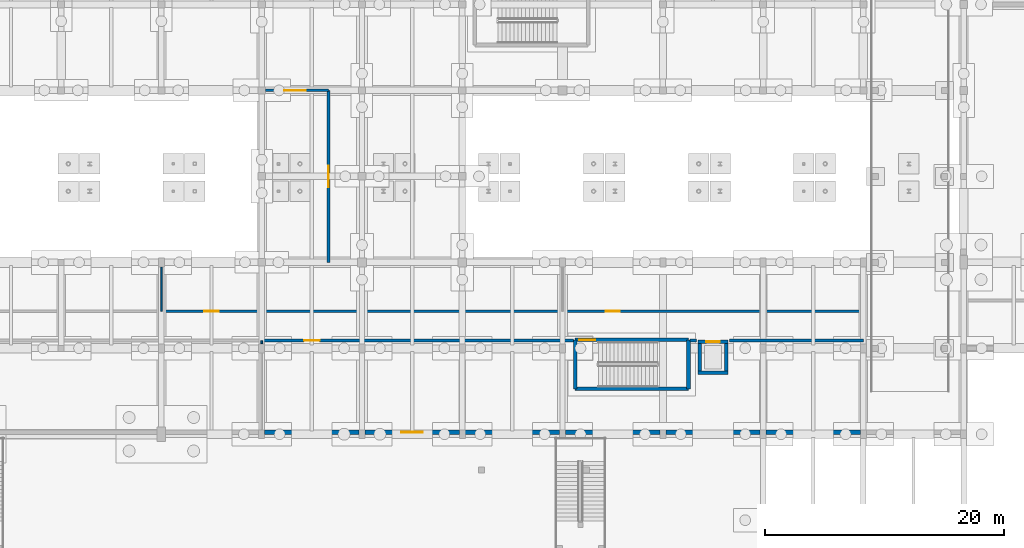
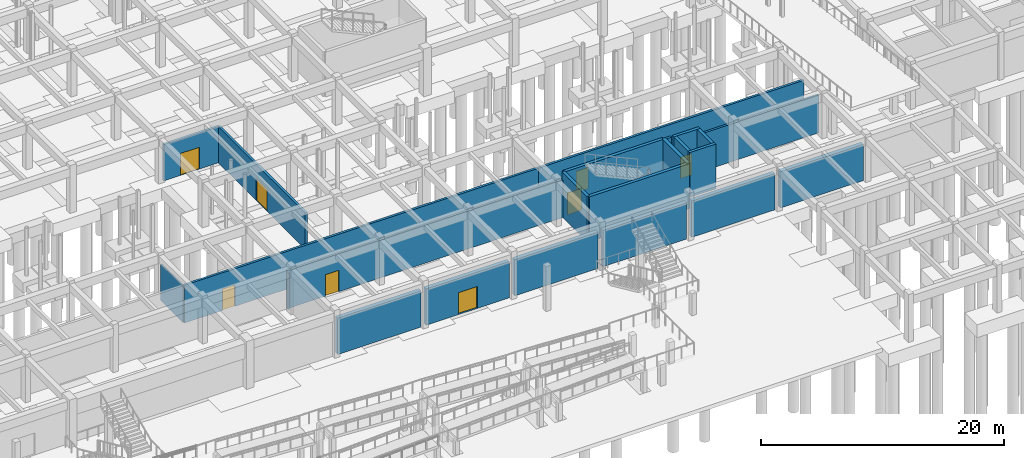
# One storey, part 59 of 80: 23 walls, 8 doors, 8 openings.
"""IFC4 building model written with IfcOpenShell, lengths in metres."""

import ifcopenshell
import ifcopenshell.guid

model = None  # the IFC model being written
_history = None  # IfcOwnerHistory: only IFC2X3 demands one
_inside = {}  # id of a spatial element -> (the spatial element, [elements in it])
_under = {}  # id of a project, library or spatial element -> (it, [spatial elements below it])
_declared = {}  # id of a project -> (the project, [libraries it declares])
_typed = {}  # id of a type object -> (the type object, [elements of that type])
_made_of = {}  # id of a material, layer set ... -> (it, [elements and type objects made of it])


def new_model(schema):
    """Start an empty IFC model of exactly this schema.

    Asked for "IFC4X3", IfcOpenShell would pick the latest addendum, in which some entities
    have other attributes; the version numbers below select the first issue.
    IFC2X3 requires an IfcOwnerHistory on every rooted entity: one is made here for all.
    """
    global model, _history
    if schema == "IFC4X3":
        model = ifcopenshell.file(schema_version=(4, 3, 0, 0))
    else:
        model = ifcopenshell.file(schema=schema)
    _inside.clear()
    _under.clear()
    _declared.clear()
    _typed.clear()
    _made_of.clear()
    _history = None
    if model.schema == "IFC2X3":
        org = make("IfcOrganization", Name="unknown")
        user = make(
            "IfcPersonAndOrganization",
            ThePerson=make("IfcPerson", FamilyName="unknown"),
            TheOrganization=org,
        )
        app = make(
            "IfcApplication",
            ApplicationDeveloper=org,
            Version="unknown",
            ApplicationFullName="unknown",
            ApplicationIdentifier="unknown",
        )
        _history = make(
            "IfcOwnerHistory",
            OwningUser=user,
            OwningApplication=app,
            ChangeAction="ADDED",
            CreationDate=0,
        )
    return model


def make(cls, **values):
    """One entity of the class cls with the attributes given. An attribute that is None is left unset."""
    return model.create_entity(
        cls, **{name: value for name, value in values.items() if value is not None}
    )


def rooted(cls, **values):
    """An entity with a GlobalId (a new one), such as an element, a storey or a relation."""
    return make(cls, GlobalId=ifcopenshell.guid.new(), OwnerHistory=_history, **values)


def si_unit(unit_type, name, prefix=None):
    """IfcSIUnit, for example si_unit("LENGTHUNIT", "METRE", prefix="MILLI")."""
    return make("IfcSIUnit", UnitType=unit_type, Prefix=prefix, Name=name)


def assignment(units):
    """IfcUnitAssignment: the units of a project."""
    return None if units is None else make("IfcUnitAssignment", Units=units)


def point(xyz):
    """IfcCartesianPoint."""
    return None if xyz is None else make("IfcCartesianPoint", Coordinates=xyz)


def direction(xyz):
    """IfcDirection."""
    return None if xyz is None else make("IfcDirection", DirectionRatios=xyz)


def frame(location, z_axis=None, x_axis=None):
    """IfcAxis2Placement3D, a coordinate frame: its origin and axes. An axis left out is left unset."""
    return make(
        "IfcAxis2Placement3D",
        Location=point(location),
        Axis=direction(z_axis),
        RefDirection=direction(x_axis),
    )


def frame_2d(location, x_axis=None):
    """IfcAxis2Placement2D, a coordinate frame in the plane: its origin and x axis."""
    return make(
        "IfcAxis2Placement2D", Location=point(location), RefDirection=direction(x_axis)
    )


def origin():
    """The frame at (0, 0, 0) with its axes left unset."""
    return frame((0.0, 0.0, 0.0))


def place(relative_to, where):
    """IfcLocalPlacement: puts the frame where relative to a parent placement (None: the world)."""
    return make(
        "IfcLocalPlacement", PlacementRelTo=relative_to, RelativePlacement=where
    )


def context(
    kind, dimensions, precision=None, world=None, true_north=None, identifier=None
):
    """IfcGeometricRepresentationContext, for example the 3D "Model" context."""
    return make(
        "IfcGeometricRepresentationContext",
        ContextIdentifier=identifier,
        ContextType=kind,
        CoordinateSpaceDimension=dimensions,
        Precision=precision,
        WorldCoordinateSystem=world,
        TrueNorth=true_north,
    )


def subcontext(parent, identifier, kind, view, scale=None):
    """IfcGeometricRepresentationSubContext, for example "Body" below "Model"."""
    return make(
        "IfcGeometricRepresentationSubContext",
        ContextIdentifier=identifier,
        ContextType=kind,
        ParentContext=parent,
        TargetScale=scale,
        TargetView=view,
    )


def project(units=None, contexts=None):
    """IfcProject with its units and contexts."""
    return rooted(
        "IfcProject",
        Name="project",
        RepresentationContexts=contexts,
        UnitsInContext=assignment(units),
    )


def spatial(cls, under=None, at=None, **own):
    """A site, building, storey or space (cls), placed at a placement, below another one or the project."""
    s = rooted(cls, ObjectPlacement=at, **own)
    if under is not None:
        _under.setdefault(under.id(), (under, []))[1].append(s)
    return s


def profile(cls, at=None, kind="AREA", **sizes):
    """A parametric profile (cls). Its sizes go by their IFC names, for example OverallWidth=200.0."""
    return make(cls, ProfileType=kind, Position=at, **sizes)


def rectangle(**sizes):
    """IfcRectangleProfileDef."""
    return profile("IfcRectangleProfileDef", **sizes)


def extrude(swept, where, along, depth):
    """IfcExtrudedAreaSolid: the profile swept, set in the frame where, extruded along a direction by depth."""
    return make(
        "IfcExtrudedAreaSolid",
        SweptArea=swept,
        Position=where,
        ExtrudedDirection=direction(along),
        Depth=depth,
    )


def shape(context_of_items, identifier, shape_type, items):
    """IfcShapeRepresentation: the items that make up one representation, for example the "Body"."""
    return make(
        "IfcShapeRepresentation",
        ContextOfItems=context_of_items,
        RepresentationIdentifier=identifier,
        RepresentationType=shape_type,
        Items=items,
    )


def material(Name=None, Category=None):
    """IfcMaterial."""
    return make("IfcMaterial", Name=Name, Category=Category)


def layer(
    of_material, thickness, ventilated=None, Name=None, Category=None, Priority=None
):
    """IfcMaterialLayer: one layer of a wall or slab, of a material (None: an air gap)."""
    return make(
        "IfcMaterialLayer",
        Material=of_material,
        LayerThickness=thickness,
        IsVentilated=ventilated,
        Name=Name,
        Category=Category,
        Priority=Priority,
    )


def layer_set(layers, Name=None):
    """IfcMaterialLayerSet."""
    return make("IfcMaterialLayerSet", MaterialLayers=layers, LayerSetName=Name)


def made_of(thing, what):
    """Note that an element or type object is made of a material, layer set ...; save() writes the relation."""
    if what is not None:
        _made_of.setdefault(what.id(), (what, []))[1].append(thing)
    return thing


def type_object(cls, material=None, **own):
    """A type object (cls), such as IfcWallType, which elements share."""
    return made_of(rooted(cls, **own), material)


def element(
    cls,
    number,
    at=None,
    inside=None,
    cuts=None,
    type_object=None,
    material=None,
    context=None,
    identifier="Body",
    shape_type=None,
    held_by="IfcProductDefinitionShape",
    body=None,
    shapes=None,
    **own,
):
    """One element of the class cls, such as IfcWall. Its Tag is "e" and its number.

    at: its placement. inside: the storey or other place that contains it. cuts: it is an
    opening in that element (IfcRelVoidsElement). A single representation is given by context,
    identifier, shape_type and body (its items); several are given by shapes. held_by: the class
    of the entity that holds the representations. save() writes the other relations.
    """
    e = rooted(cls, Tag="e%d" % number, ObjectPlacement=at, **own)
    if body is not None:
        shapes = [shape(context, identifier, shape_type, body)]
    if shapes is not None:
        e.Representation = make(held_by, Representations=shapes)
    if inside is not None:
        _inside.setdefault(inside.id(), (inside, []))[1].append(e)
    if cuts is not None:
        rooted(
            "IfcRelVoidsElement", RelatingBuildingElement=cuts, RelatedOpeningElement=e
        )
    if type_object is not None:
        _typed.setdefault(type_object.id(), (type_object, []))[1].append(e)
    return made_of(e, material)


def fill(opening, filler):
    """IfcRelFillsElement: the door or window that sits in an opening."""
    return rooted(
        "IfcRelFillsElement",
        RelatingOpeningElement=opening,
        RelatedBuildingElement=filler,
    )


def aggregate(whole, parts):
    """IfcRelAggregates: a whole, such as a stair, and the parts it consists of."""
    return rooted("IfcRelAggregates", RelatingObject=whole, RelatedObjects=parts)


def save(model, path):
    """Write the relations noted so far, then the file.

    IfcRelAggregates (storeys below a building ...), IfcRelContainedInSpatialStructure (elements
    in a storey), IfcRelDefinesByType, IfcRelAssociatesMaterial and IfcRelDeclares: one each for
    every whole, place, type object, material and project.
    """
    for whole, parts in _under.values():
        aggregate(whole, parts)
    for where, things in _inside.values():
        rooted(
            "IfcRelContainedInSpatialStructure",
            RelatedElements=things,
            RelatingStructure=where,
        )
    for kind, things in _typed.values():
        rooted("IfcRelDefinesByType", RelatedObjects=things, RelatingType=kind)
    for what, things in _made_of.values():
        rooted("IfcRelAssociatesMaterial", RelatedObjects=things, RelatingMaterial=what)
    for by, libraries in _declared.values():
        rooted("IfcRelDeclares", RelatingContext=by, RelatedDefinitions=libraries)
    model.write(path)


model = new_model("IFC4")

# Units and contexts
model_context = context("Model", 3, precision=1e-05, world=origin(), true_north=direction((0.0, 1.0)))
body_context = subcontext(model_context, "Body", "Model", "MODEL_VIEW")
ifc_project = project(units=[si_unit("LENGTHUNIT", "METRE"), si_unit("AREAUNIT", "SQUARE_METRE"), si_unit("VOLUMEUNIT", "CUBIC_METRE"), si_unit("PLANEANGLEUNIT", "RADIAN"), si_unit("MASSUNIT", "GRAM", prefix="KILO")], contexts=[model_context])

# Site, building, storey
site_placement = place(None, origin())
site = spatial("IfcSite", under=ifc_project, at=site_placement, CompositionType="ELEMENT")
building_placement = place(site_placement, origin())
building = spatial("IfcBuilding", under=site, at=building_placement, Name="Malvenik Polytechnic", CompositionType="ELEMENT")
storey_placement = place(building_placement, frame((0.0, 0.0, -4.800048828125)))
storey = spatial("IfcBuildingStorey", under=building, at=storey_placement, Name="B1", CompositionType="ELEMENT", Elevation=-4.800048828125)

# Wall
ifc_material_1 = material(Name="Concrete C35/45", Category="concrete")
ifc_layer_1 = layer(ifc_material_1, 0.280029296875)
ifc_layer_set_1 = layer_set([ifc_layer_1], Name="Concrete C35/45")
wall_type_1 = type_object("IfcWallType", Name="ARC-CW-S280", PredefinedType="SHEAR", material=ifc_layer_set_1)
wall_1_placement = place(storey_placement, frame((114.639892578125, 26.75, 0.0), z_axis=(0.0, 0.0, 1.0), x_axis=(-1.0, 0.0, 0.0)))
element("IfcWall", 1, at=wall_1_placement, inside=storey, type_object=wall_type_1, Name="Lift Shaft Shear Wall LP-04 B1 -Y", PredefinedType="SHEAR", context=body_context, shape_type="SweptSolid", body=[
    extrude(rectangle(XDim=2.47998046875, YDim=0.280029296875, at=frame_2d((1.239990234375, 0.0))), origin(), (0.0, 0.0, 1.0), 4.5),
])

# Wall, opening, door
wall_2_placement = place(storey_placement, frame((112.159912109375, 29.35009765625, 0.0), z_axis=(0.0, 0.0, 1.0), x_axis=(1.0, 0.0, 0.0)))
wall_2 = element("IfcWall", 2, at=wall_2_placement, inside=storey, type_object=wall_type_1, Name="Lift Shaft Shear Wall LP-04 B1 +Y", PredefinedType="SHEAR", context=body_context, shape_type="SweptSolid", body=[
    extrude(rectangle(XDim=2.47998046875, YDim=0.280029296875, at=frame_2d((1.239990234375, 0.0))), origin(), (0.0, 0.0, 1.0), 4.5),
])
opening_1_placement = place(wall_2_placement, frame((0.68994140625, 0.0, 0.0)))
opening_1 = element("IfcOpeningElement", 3, at=opening_1_placement, cuts=wall_2, Name="Opening LD-01", PredefinedType="OPENING", context=body_context, shape_type="SweptSolid", body=[
    extrude(rectangle(XDim=1.10009765625, YDim=2.14990234375, at=frame_2d((0.550048828125, 1.074951171875))), frame((0.0, 0.14990234375, 0.0), z_axis=(0.0, -1.0, 0.0), x_axis=(1.0, 0.0, 0.0)), (0.0, 0.0, 1.0), 0.300048828125),
])
ifc_material_2 = material(Name="Stainless steel fire-rated sliding lift landing door", Category="steel")
door_type_1 = type_object("IfcDoorType", Name="ARC-LDR-LD-01", OperationType="NOTDEFINED", PredefinedType="DOOR", material=ifc_material_2)
door_1_placement = place(opening_1_placement, origin())
door_1 = element("IfcDoor", 4, at=door_1_placement, inside=storey, type_object=door_type_1, Name="Lift Sliding Landing Door LP-04 B1", OperationType="DOUBLE_DOOR_SLIDING", OverallHeight=2.14990234375, OverallWidth=1.10009765625, PredefinedType="DOOR", context=body_context, shape_type="SweptSolid", body=[
    extrude(rectangle(XDim=1.10009765625, YDim=2.14990234375, at=frame_2d((0.550048828125, 1.074951171875))), frame((0.0, 0.02490234375, 0.0), z_axis=(0.0, -1.0, 0.0), x_axis=(1.0, 0.0, 0.0)), (0.0, 0.0, 1.0), 0.050048828125),
])
fill(opening_1, door_1)

# Walls
for number, where, z_axis, x_axis, name in (
    (5, (112.300048828125, 26.610107421875, 0.0), (0.0, 0.0, 1.0), (0.0, 1.0, 0.0), "Lift Shaft Shear Wall LP-04 B1 -X"),
    (6, (114.5, 29.489990234375, 0.0), (0.0, 0.0, 1.0), (0.0, -1.0, 0.0), "Lift Shaft Shear Wall LP-04 B1 +X"),
):
    element("IfcWall", number, at=place(storey_placement, frame(where, z_axis=z_axis, x_axis=x_axis)), inside=storey, type_object=wall_type_1, Name=name, PredefinedType="SHEAR", context=body_context, shape_type="SweptSolid", body=[
        extrude(rectangle(XDim=2.8798828125, YDim=0.280029296875, at=frame_2d((1.43994140625, 0.0))), origin(), (0.0, 0.0, 1.0), 4.5),
    ])
ifc_layer_2 = layer(ifc_material_1, 0.300048828125)
ifc_layer_set_2 = layer_set([ifc_layer_2], Name="Concrete C35/45")
wall_type_2 = type_object("IfcWallType", Name="ARC-CW-S300", PredefinedType="SHEAR", material=ifc_layer_set_2)
wall_3_placement = place(storey_placement, frame((101.85009765625, 25.39990234375, 0.0), z_axis=(0.0, 0.0, 1.0), x_axis=(0.0, 1.0, 0.0)))
element("IfcWall", 7, at=wall_3_placement, inside=storey, type_object=wall_type_2, Name="Stair Core Shear Wall ST-08 B1 NEAR", PredefinedType="SHEAR", context=body_context, shape_type="SweptSolid", body=[
    extrude(rectangle(XDim=4.10009765625, YDim=0.300048828125, at=frame_2d((2.050048828125, 0.0))), origin(), (0.0, 0.0, 1.0), 4.5),
])

# Wall, opening, door
wall_4_placement = place(storey_placement, frame((101.85009765625, 29.5, 0.0), z_axis=(0.0, 0.0, 1.0), x_axis=(1.0, 0.0, 0.0)))
wall_4 = element("IfcWall", 8, at=wall_4_placement, inside=storey, type_object=wall_type_2, Name="Stair Core Shear Wall ST-08 B1 RGHT", PredefinedType="SHEAR", context=body_context, shape_type="SweptSolid", body=[
    extrude(rectangle(XDim=9.5, YDim=0.300048828125, at=frame_2d((4.75, 0.0))), origin(), (0.0, 0.0, 1.0), 4.5),
])
opening_2_placement = place(wall_4_placement, frame((0.35009765625, 0.0, 0.0)))
opening_2 = element("IfcOpeningElement", 9, at=opening_2_placement, cuts=wall_4, Name="Opening SD-01", PredefinedType="OPENING", context=body_context, shape_type="SweptSolid", body=[
    extrude(rectangle(XDim=1.35009765625, YDim=2.199951171875, at=frame_2d((0.675048828125, 1.10009765625))), frame((0.0, 0.16015625, 0.0), z_axis=(0.0, -1.0, 0.0), x_axis=(1.0, 0.0, 0.0)), (0.0, 0.0, 1.0), 0.320068359375),
])
ifc_material_3 = material(Name="Fire-rated steel stair enclosure door", Category="steel")
door_type_2 = type_object("IfcDoorType", Name="ARC-IDR-SD-01", OperationType="NOTDEFINED", PredefinedType="DOOR", material=ifc_material_3)
door_2_placement = place(opening_2_placement, origin())
door_2 = element("IfcDoor", 10, at=door_2_placement, inside=storey, type_object=door_type_2, Name="Fire Stair Door ST-08 B1", OperationType="SINGLE_SWING_RIGHT", OverallHeight=2.199951171875, OverallWidth=1.35009765625, PredefinedType="DOOR", context=body_context, shape_type="SweptSolid", body=[
    extrude(rectangle(XDim=1.35009765625, YDim=2.199951171875, at=frame_2d((0.675048828125, 1.10009765625))), frame((0.0, 0.02490234375, 0.0), z_axis=(0.0, -1.0, 0.0), x_axis=(1.0, 0.0, 0.0)), (0.0, 0.0, 1.0), 0.050048828125),
])
fill(opening_2, door_2)

# Walls
wall_5_placement = place(storey_placement, frame((111.35009765625, 29.5, 0.0), z_axis=(0.0, 0.0, 1.0), x_axis=(0.0, -1.0, 0.0)))
element("IfcWall", 11, at=wall_5_placement, inside=storey, type_object=wall_type_2, Name="Stair Core Shear Wall ST-08 B1 FAR", PredefinedType="SHEAR", context=body_context, shape_type="SweptSolid", body=[
    extrude(rectangle(XDim=4.10009765625, YDim=0.300048828125, at=frame_2d((2.050048828125, 0.0))), origin(), (0.0, 0.0, 1.0), 4.5),
])
wall_6_placement = place(storey_placement, frame((111.35009765625, 25.39990234375, 0.0), z_axis=(0.0, 0.0, 1.0), x_axis=(-1.0, 0.0, 0.0)))
element("IfcWall", 12, at=wall_6_placement, inside=storey, type_object=wall_type_2, Name="Stair Core Shear Wall ST-08 B1 LEFT", PredefinedType="SHEAR", context=body_context, shape_type="SweptSolid", body=[
    extrude(rectangle(XDim=9.5, YDim=0.300048828125, at=frame_2d((4.75, 0.0))), origin(), (0.0, 0.0, 1.0), 4.5),
])
ifc_material_4 = material(Name="Concrete C30/37", Category="concrete")
ifc_layer_3 = layer(ifc_material_4, 0.3798828125)
ifc_layer_set_3 = layer_set([ifc_layer_3], Name="Concrete C30/37")
wall_type_3 = type_object("IfcWallType", Name="ARC-EW-380", PredefinedType="SOLIDWALL", material=ifc_layer_set_3)
for number, where, z_axis, x_axis, name in (
    (13, (125.751953125, 21.77001953125, 0.0), (0.0, 0.0, 1.0), (-1.0, 0.0, 0.0), "External Facade Wall EW-01 B1 #2"),
    (14, (117.35205078125, 21.77001953125, 0.0), (0.0, 0.0, 1.0), (-1.0, 0.0, 0.0), "External Facade Wall EW-01 B1 #3"),
):
    element("IfcWall", number, at=place(storey_placement, frame(where, z_axis=z_axis, x_axis=x_axis)), inside=storey, type_object=wall_type_3, Name=name, PredefinedType="SOLIDWALL", context=body_context, shape_type="SweptSolid", body=[
        extrude(rectangle(XDim=7.904052734375, YDim=0.3798828125, at=frame_2d((3.9521484375, 0.0))), origin(), (0.0, 0.0, 1.0), 3.64013671875),
    ])
wall_7_placement = place(storey_placement, frame((108.951904296875, 21.77001953125, 0.0), z_axis=(0.0, 0.0, 1.0), x_axis=(-1.0, 0.0, 0.0)))
element("IfcWall", 15, at=wall_7_placement, inside=storey, type_object=wall_type_3, Name="External Facade Wall EW-01 B1 #4", PredefinedType="SOLIDWALL", context=body_context, shape_type="SweptSolid", body=[
    extrude(rectangle(XDim=7.90380859375, YDim=0.3798828125, at=frame_2d((3.951904296875, 0.0))), origin(), (0.0, 0.0, 1.0), 3.64013671875),
])
wall_8_placement = place(storey_placement, frame((100.552001953125, 21.77001953125, 0.0), z_axis=(0.0, 0.0, 1.0), x_axis=(-1.0, 0.0, 0.0)))
element("IfcWall", 16, at=wall_8_placement, inside=storey, type_object=wall_type_3, Name="External Facade Wall EW-01 B1 #5", PredefinedType="SOLIDWALL", context=body_context, shape_type="SweptSolid", body=[
    extrude(rectangle(XDim=7.904052734375, YDim=0.3798828125, at=frame_2d((3.9521484375, 0.0))), origin(), (0.0, 0.0, 1.0), 3.64013671875),
])

# Wall, opening, door
wall_9_placement = place(storey_placement, frame((92.152099609375, 21.77001953125, 0.0), z_axis=(0.0, 0.0, 1.0), x_axis=(-1.0, 0.0, 0.0)))
wall_9 = element("IfcWall", 17, at=wall_9_placement, inside=storey, type_object=wall_type_3, Name="External Facade Wall EW-01 B1 #6", PredefinedType="SOLIDWALL", context=body_context, shape_type="SweptSolid", body=[
    extrude(rectangle(XDim=7.904052734375, YDim=0.3798828125, at=frame_2d((3.9521484375, 0.0))), origin(), (0.0, 0.0, 1.0), 3.64013671875),
])
opening_3_placement = place(wall_9_placement, frame((3.052001953125, 0.0, 0.0)))
opening_3 = element("IfcOpeningElement", 18, at=opening_3_placement, cuts=wall_9, Name="Opening TD-01", PredefinedType="OPENING", context=body_context, shape_type="SweptSolid", body=[
    extrude(rectangle(XDim=1.800048828125, YDim=2.199951171875, at=frame_2d((0.89990234375, 1.10009765625))), frame((0.0, 0.199951171875, 0.0), z_axis=(0.0, -1.0, 0.0), x_axis=(1.0, 0.0, 0.0)), (0.0, 0.0, 1.0), 0.39990234375),
])
ifc_material_5 = material(Name="Thermally broken glazed aluminium terrace door", Category="aluminium")
door_type_3 = type_object("IfcDoorType", Name="ARC-EDR-TD-01", OperationType="NOTDEFINED", PredefinedType="DOOR", material=ifc_material_5)
door_3_placement = place(opening_3_placement, origin())
door_3 = element("IfcDoor", 19, at=door_3_placement, inside=storey, type_object=door_type_3, Name="External Door TD-01 B1 #1", OperationType="DOUBLE_DOOR_SINGLE_SWING", OverallHeight=2.199951171875, OverallWidth=1.800048828125, PredefinedType="DOOR", context=body_context, shape_type="SweptSolid", body=[
    extrude(rectangle(XDim=1.800048828125, YDim=2.199951171875, at=frame_2d((0.89990234375, 1.10009765625))), frame((0.0, 0.02490234375, 0.0), z_axis=(0.0, -1.0, 0.0), x_axis=(1.0, 0.0, 0.0)), (0.0, 0.0, 1.0), 0.050048828125),
])
fill(opening_3, door_3)

# Wall
wall_10_placement = place(storey_placement, frame((83.751953125, 21.77001953125, 0.0), z_axis=(0.0, 0.0, 1.0), x_axis=(-1.0, 0.0, 0.0)))
element("IfcWall", 20, at=wall_10_placement, inside=storey, type_object=wall_type_3, Name="External Facade Wall EW-01 B1 #7", PredefinedType="SOLIDWALL", context=body_context, shape_type="SweptSolid", body=[
    extrude(rectangle(XDim=7.904052734375, YDim=0.3798828125, at=frame_2d((3.9521484375, 0.0))), origin(), (0.0, 0.0, 1.0), 3.64013671875),
])

# Wall, opening, door
ifc_material_6 = material(Name="Autoclaved aerated concrete blockwork 220mm", Category="masonry")
ifc_layer_4 = layer(ifc_material_6, 0.219970703125)
ifc_layer_set_4 = layer_set([ifc_layer_4], Name="Autoclaved aerated concrete blockwork 220mm")
wall_type_4 = type_object("IfcWallType", Name="ARC-FW-220", PredefinedType="SOLIDWALL", material=ifc_layer_set_4)
wall_11_placement = place(storey_placement, frame((81.199951171875, 36.0, 0.0), z_axis=(0.0, 0.0, 1.0), x_axis=(0.0, 1.0, 0.0)))
wall_11 = element("IfcWall", 21, at=wall_11_placement, inside=storey, type_object=wall_type_4, Name="Interior Partition FW-01 B1 #27", PredefinedType="SOLIDWALL", context=body_context, shape_type="SweptSolid", body=[
    extrude(rectangle(XDim=14.39990234375, YDim=0.219970703125, at=frame_2d((7.199951171875, 0.0))), origin(), (0.0, 0.0, 1.0), 3.635009765625),
])
opening_4_placement = place(wall_11_placement, frame((6.300048828125, 0.0, 0.0)))
opening_4 = element("IfcOpeningElement", 22, at=opening_4_placement, cuts=wall_11, Name="Opening FD-02", PredefinedType="OPENING", context=body_context, shape_type="SweptSolid", body=[
    extrude(rectangle(XDim=1.800048828125, YDim=2.199951171875, at=frame_2d((0.89990234375, 1.10009765625))), frame((0.0, 0.1201171875, 0.0), z_axis=(0.0, -1.0, 0.0), x_axis=(1.0, 0.0, 0.0)), (0.0, 0.0, 1.0), 0.239990234375),
])
ifc_material_7 = material(Name="Fire-rated double-leaf corridor compartment door", Category="steel")
door_type_4 = type_object("IfcDoorType", Name="ARC-IDR-FD-02", OperationType="NOTDEFINED", PredefinedType="DOOR", material=ifc_material_7)
door_4_placement = place(opening_4_placement, origin())
door_4 = element("IfcDoor", 23, at=door_4_placement, inside=storey, type_object=door_type_4, Name="Interior Door FD-02 B1 #12", OperationType="DOUBLE_DOOR_SINGLE_SWING", OverallHeight=2.199951171875, OverallWidth=1.800048828125, PredefinedType="DOOR", context=body_context, shape_type="SweptSolid", body=[
    extrude(rectangle(XDim=1.800048828125, YDim=2.199951171875, at=frame_2d((0.89990234375, 1.10009765625))), frame((0.0, 0.02490234375, 0.0), z_axis=(0.0, -1.0, 0.0), x_axis=(1.0, 0.0, 0.0)), (0.0, 0.0, 1.0), 0.050048828125),
])
fill(opening_4, door_4)

wall_12_placement = place(storey_placement, frame((75.919921875, 50.39990234375, 0.0), z_axis=(0.0, 0.0, 1.0), x_axis=(1.0, 0.0, 0.0)))
wall_12 = element("IfcWall", 24, at=wall_12_placement, inside=storey, type_object=wall_type_4, Name="Interior Partition FW-01 B1 #28", PredefinedType="SOLIDWALL", context=body_context, shape_type="SweptSolid", body=[
    extrude(rectangle(XDim=5.280029296875, YDim=0.219970703125, at=frame_2d((2.64013671875, 0.0))), origin(), (0.0, 0.0, 1.0), 3.635009765625),
])
opening_5_placement = place(wall_12_placement, frame((1.580078125, 0.0, 0.0)))
opening_5 = element("IfcOpeningElement", 25, at=opening_5_placement, cuts=wall_12, Name="Opening FD-02", PredefinedType="OPENING", context=body_context, shape_type="SweptSolid", body=[
    extrude(rectangle(XDim=1.800048828125, YDim=2.199951171875, at=frame_2d((0.89990234375, 1.10009765625))), frame((0.0, 0.1201171875, 0.0), z_axis=(0.0, -1.0, 0.0), x_axis=(1.0, 0.0, 0.0)), (0.0, 0.0, 1.0), 0.239990234375),
])
door_5_placement = place(opening_5_placement, origin())
door_5 = element("IfcDoor", 26, at=door_5_placement, inside=storey, type_object=door_type_4, Name="Interior Door FD-02 B1 #13", OperationType="DOUBLE_DOOR_SINGLE_SWING", OverallHeight=2.199951171875, OverallWidth=1.800048828125, PredefinedType="DOOR", context=body_context, shape_type="SweptSolid", body=[
    extrude(rectangle(XDim=1.800048828125, YDim=2.199951171875, at=frame_2d((0.89990234375, 1.10009765625))), frame((0.0, 0.02490234375, 0.0), z_axis=(0.0, -1.0, 0.0), x_axis=(1.0, 0.0, 0.0)), (0.0, 0.0, 1.0), 0.050048828125),
])
fill(opening_5, door_5)

wall_13_placement = place(storey_placement, frame((67.199951171875, 31.89990234375, 0.0), z_axis=(0.0, 0.0, 1.0), x_axis=(1.0, 0.0, 0.0)))
wall_13 = element("IfcWall", 27, at=wall_13_placement, inside=storey, type_object=wall_type_4, Name="Interior Partition FW-01 B1 #31", PredefinedType="SOLIDWALL", context=body_context, shape_type="SweptSolid", body=[
    extrude(rectangle(XDim=33.60009765625, YDim=0.219970703125, at=frame_2d((16.800048828125, 0.0))), origin(), (0.0, 0.0, 1.0), 3.78515625),
])
opening_6_placement = place(wall_13_placement, frame((3.60009765625, 0.0, 0.0)))
opening_6 = element("IfcOpeningElement", 28, at=opening_6_placement, cuts=wall_13, Name="Opening FD-10", PredefinedType="OPENING", context=body_context, shape_type="SweptSolid", body=[
    extrude(rectangle(XDim=1.199951171875, YDim=2.14990234375, at=frame_2d((0.60009765625, 1.074951171875))), frame((0.0, 0.1201171875, 0.0), z_axis=(0.0, -1.0, 0.0), x_axis=(1.0, 0.0, 0.0)), (0.0, 0.0, 1.0), 0.239990234375),
])
ifc_material_8 = material(Name="Fire-rated laboratory corridor door", Category="steel")
door_type_5 = type_object("IfcDoorType", Name="ARC-IDR-FD-10", OperationType="NOTDEFINED", PredefinedType="DOOR", material=ifc_material_8)
door_6_placement = place(opening_6_placement, origin())
door_6 = element("IfcDoor", 29, at=door_6_placement, inside=storey, type_object=door_type_5, Name="Interior Door FD-10 B1 #15", OperationType="SINGLE_SWING_LEFT", OverallHeight=2.14990234375, OverallWidth=1.199951171875, PredefinedType="DOOR", context=body_context, shape_type="SweptSolid", body=[
    extrude(rectangle(XDim=1.199951171875, YDim=2.14990234375, at=frame_2d((0.60009765625, 1.074951171875))), frame((0.0, 0.02490234375, 0.0), z_axis=(0.0, -1.0, 0.0), x_axis=(1.0, 0.0, 0.0)), (0.0, 0.0, 1.0), 0.050048828125),
])
fill(opening_6, door_6)

wall_14_placement = place(storey_placement, frame((100.800048828125, 31.89990234375, 0.0), z_axis=(0.0, 0.0, 1.0), x_axis=(1.0, 0.0, 0.0)))
wall_14 = element("IfcWall", 30, at=wall_14_placement, inside=storey, type_object=wall_type_4, Name="Interior Partition FW-01 B1 #33", PredefinedType="SOLIDWALL", context=body_context, shape_type="SweptSolid", body=[
    extrude(rectangle(XDim=25.199951171875, YDim=0.219970703125, at=frame_2d((12.60009765625, 0.0))), origin(), (0.0, 0.0, 1.0), 3.78515625),
])
opening_7_placement = place(wall_14_placement, frame((3.625, 0.0, 0.0)))
opening_7 = element("IfcOpeningElement", 31, at=opening_7_placement, cuts=wall_14, Name="Opening FD-01", PredefinedType="OPENING", context=body_context, shape_type="SweptSolid", body=[
    extrude(rectangle(XDim=1.14990234375, YDim=2.14990234375, at=frame_2d((0.574951171875, 1.074951171875))), frame((0.0, 0.1201171875, 0.0), z_axis=(0.0, -1.0, 0.0), x_axis=(1.0, 0.0, 0.0)), (0.0, 0.0, 1.0), 0.239990234375),
])
ifc_material_9 = material(Name="Fire-rated timber acoustic corridor door", Category="wood")
door_type_6 = type_object("IfcDoorType", Name="ARC-IDR-FD-01", OperationType="NOTDEFINED", PredefinedType="DOOR", material=ifc_material_9)
door_7_placement = place(opening_7_placement, origin())
door_7 = element("IfcDoor", 32, at=door_7_placement, inside=storey, type_object=door_type_6, Name="Interior Door FD-01 B1 #16", OperationType="SINGLE_SWING_RIGHT", OverallHeight=2.14990234375, OverallWidth=1.14990234375, PredefinedType="DOOR", context=body_context, shape_type="SweptSolid", body=[
    extrude(rectangle(XDim=1.14990234375, YDim=2.14990234375, at=frame_2d((0.574951171875, 1.074951171875))), frame((0.0, 0.02490234375, 0.0), z_axis=(0.0, -1.0, 0.0), x_axis=(1.0, 0.0, 0.0)), (0.0, 0.0, 1.0), 0.050048828125),
])
fill(opening_7, door_7)

# Walls
wall_15_placement = place(storey_placement, frame((126.0, 29.449951171875, 0.0), z_axis=(0.0, 0.0, 1.0), x_axis=(-1.0, 0.0, 0.0)))
element("IfcWall", 33, at=wall_15_placement, inside=storey, type_object=wall_type_4, Name="Interior Partition FW-01 B1 #37", PredefinedType="SOLIDWALL", context=body_context, shape_type="SweptSolid", body=[
    extrude(rectangle(XDim=11.22998046875, YDim=0.219970703125, at=frame_2d((5.614990234375, 0.0))), origin(), (0.0, 0.0, 1.0), 3.78515625),
])
wall_16_placement = place(storey_placement, frame((112.030029296875, 29.449951171875, 0.0), z_axis=(0.0, 0.0, 1.0), x_axis=(-1.0, 0.0, 0.0)))
element("IfcWall", 34, at=wall_16_placement, inside=storey, type_object=wall_type_4, Name="Interior Partition FW-01 B1 #38", PredefinedType="SOLIDWALL", context=body_context, shape_type="SweptSolid", body=[
    extrude(rectangle(XDim=0.5400390625, YDim=0.219970703125, at=frame_2d((0.27001953125, 0.0))), origin(), (0.0, 0.0, 1.0), 4.449951171875),
])

# Wall, opening, door
wall_17_placement = place(storey_placement, frame((101.7099609375, 29.449951171875, 0.0), z_axis=(0.0, 0.0, 1.0), x_axis=(-1.0, 0.0, 0.0)))
wall_17 = element("IfcWall", 35, at=wall_17_placement, inside=storey, type_object=wall_type_4, Name="Interior Partition FW-01 B1 #39", PredefinedType="SOLIDWALL", context=body_context, shape_type="SweptSolid", body=[
    extrude(rectangle(XDim=26.10986328125, YDim=0.219970703125, at=frame_2d((13.054931640625, 0.0))), origin(), (0.0, 0.0, 1.0), 3.78515625),
])
opening_8_placement = place(wall_17_placement, frame((21.260009765625, 0.0, 0.0)))
opening_8 = element("IfcOpeningElement", 36, at=opening_8_placement, cuts=wall_17, Name="Opening FD-04", PredefinedType="OPENING", context=body_context, shape_type="SweptSolid", body=[
    extrude(rectangle(XDim=1.300048828125, YDim=2.14990234375, at=frame_2d((0.64990234375, 1.074951171875))), frame((0.0, 0.1201171875, 0.0), z_axis=(0.0, -1.0, 0.0), x_axis=(1.0, 0.0, 0.0)), (0.0, 0.0, 1.0), 0.239990234375),
])
ifc_material_10 = material(Name="Fire-rated plant room steel door", Category="steel")
door_type_7 = type_object("IfcDoorType", Name="ARC-IDR-FD-04", OperationType="NOTDEFINED", PredefinedType="DOOR", material=ifc_material_10)
door_8_placement = place(opening_8_placement, origin())
door_8 = element("IfcDoor", 37, at=door_8_placement, inside=storey, type_object=door_type_7, Name="Interior Door FD-04 B1 #18", OperationType="SINGLE_SWING_LEFT", OverallHeight=2.14990234375, OverallWidth=1.300048828125, PredefinedType="DOOR", context=body_context, shape_type="SweptSolid", body=[
    extrude(rectangle(XDim=1.300048828125, YDim=2.14990234375, at=frame_2d((0.64990234375, 1.074951171875))), frame((0.0, 0.02490234375, 0.0), z_axis=(0.0, -1.0, 0.0), x_axis=(1.0, 0.0, 0.0)), (0.0, 0.0, 1.0), 0.050048828125),
])
fill(opening_8, door_8)

# Walls
ifc_material_11 = material(Name="Acoustic metal-stud gypsum partition 140mm", Category="gypsum")
ifc_layer_5 = layer(ifc_material_11, 0.139892578125)
ifc_layer_set_5 = layer_set([ifc_layer_5], Name="Acoustic metal-stud gypsum partition 140mm")
wall_type_5 = type_object("IfcWallType", Name="ARC-PW-140", PredefinedType="PARTITIONING", material=ifc_layer_set_5)
wall_18_placement = place(storey_placement, frame((67.199951171875, 31.89990234375, 0.0), z_axis=(0.0, 0.0, 1.0), x_axis=(0.0, 1.0, 0.0)))
element("IfcWall", 38, at=wall_18_placement, inside=storey, type_object=wall_type_5, Name="Interior Partition PW-02I B1 #30", PredefinedType="PARTITIONING", context=body_context, shape_type="SweptSolid", body=[
    extrude(rectangle(XDim=3.705078125, YDim=0.139892578125, at=frame_2d((1.8525390625, 0.0))), origin(), (0.0, 0.0, 1.0), 3.635009765625),
])
wall_19_placement = place(storey_placement, frame((75.60009765625, 29.195068359375, 0.0), z_axis=(0.0, 0.0, 1.0), x_axis=(0.0, 1.0, 0.0)))
element("IfcWall", 39, at=wall_19_placement, inside=storey, type_object=wall_type_5, Name="Interior Partition PW-02I B1 #36", PredefinedType="PARTITIONING", context=body_context, shape_type="SweptSolid", body=[
    extrude(rectangle(XDim=0.2548828125, YDim=0.139892578125, at=frame_2d((0.12744140625, 0.0))), origin(), (0.0, 0.0, 1.0), 3.635009765625),
])

save(model, "model.ifc")
